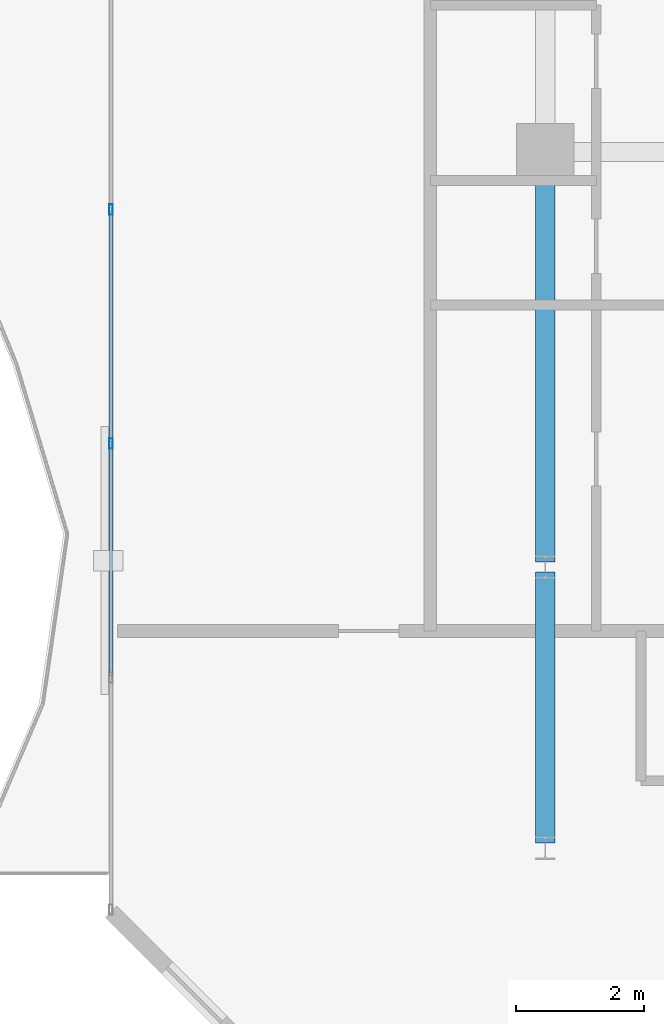
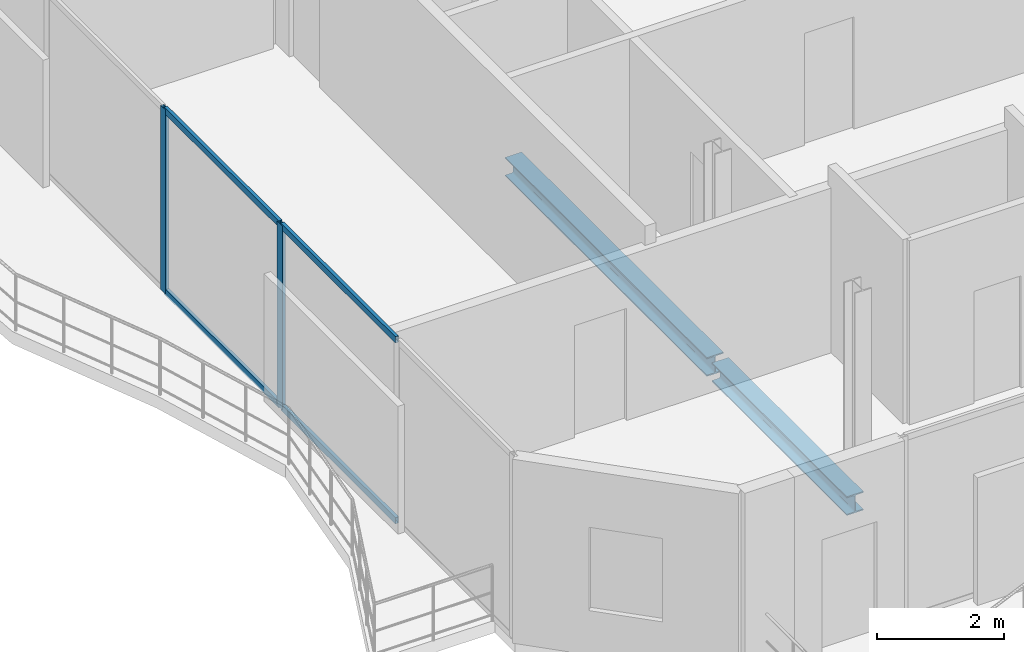
# One storey, part 3 of 16: 6 members, 2 beams, 1 element without a shape of its own.
"""IFC4 building model written with IfcOpenShell, lengths in metres."""

from ifc_helpers import new_model, si_unit, direction, frame, origin, origin_2d, place, context, subcontext, project, spatial, hollow_rectangle, i_section, extrude, material, layer, layer_set, material_profile, profile_set, type_object, element, aggregate, save


model = new_model("IFC4")

# Units and contexts
model_context = context("Model", 3, precision=1e-05, world=origin(), true_north=direction((0.0, 1.0)))
body_context = subcontext(model_context, "Body", "Model", "MODEL_VIEW")
ifc_project = project(units=[si_unit("LENGTHUNIT", "METRE"), si_unit("AREAUNIT", "SQUARE_METRE"), si_unit("VOLUMEUNIT", "CUBIC_METRE"), si_unit("PLANEANGLEUNIT", "RADIAN"), si_unit("MASSUNIT", "GRAM", prefix="KILO")], contexts=[model_context])

# Site, building, storey
site_placement = place(None, origin())
site = spatial("IfcSite", under=ifc_project, at=site_placement, CompositionType="ELEMENT")
building_placement = place(site_placement, origin())
building = spatial("IfcBuilding", under=site, at=building_placement, Name="Catumbela Crestline Tower", CompositionType="ELEMENT")
storey_placement = place(building_placement, frame((0.0, 0.0, 275.4)))
storey = spatial("IfcBuildingStorey", under=building, at=storey_placement, Name="L71", CompositionType="ELEMENT", Elevation=275.4)

# Beams
ifc_material_1 = material(Name="Structural steel S355J2", Category="steel")
ifc_material_profile_1 = material_profile(ifc_material_1, i_section(OverallWidth=0.3, OverallDepth=0.36, WebThickness=0.0125, FlangeThickness=0.0225, FilletRadius=0.027, at=origin_2d()), Name="HEB 360")
ifc_profile_set_1 = profile_set([ifc_material_profile_1], Name="Structural steel S355J2")
beam_type = type_object("IfcBeamType", Name="BG-HEB360", PredefinedType="BEAM", material=ifc_profile_set_1)
beam_1_placement = place(storey_placement, frame((16.0, 13.68, -0.44), z_axis=(0.0, 1.0, 0.0), x_axis=(-1.0, 0.0, 0.0)))
element("IfcBeam", 1, at=beam_1_placement, inside=storey, type_object=beam_type, Name="L71 Beam BM-L71-WNS18", PredefinedType="BEAM", context=body_context, shape_type="SweptSolid", body=[
    extrude(i_section(OverallWidth=0.3, OverallDepth=0.36, WebThickness=0.0125, FlangeThickness=0.0225, FilletRadius=0.027, at=origin_2d()), origin(), (0.0, 0.0, 1.0), 4.24),
])
beam_2_placement = place(storey_placement, frame((16.0, 18.08, -0.44), z_axis=(0.0, 1.0, 0.0), x_axis=(-1.0, 0.0, 0.0)))
element("IfcBeam", 2, at=beam_2_placement, inside=storey, type_object=beam_type, Name="L71 Beam BM-L71-WNS19", PredefinedType="BEAM", context=body_context, shape_type="SweptSolid", body=[
    extrude(i_section(OverallWidth=0.3, OverallDepth=0.36, WebThickness=0.0125, FlangeThickness=0.0225, FilletRadius=0.027, at=origin_2d()), origin(), (0.0, 0.0, 1.0), 6.34),
])

# Curtain wall, members
ifc_material_2 = material(Name="Aluminium alloy AW-6060-T66", Category="aluminium")
ifc_layer = layer(ifc_material_2, 0.18, Name="Aluminium alloy AW-6060-T66")
ifc_layer_set = layer_set([ifc_layer], Name="Aluminium alloy AW-6060-T66")
curtain_wall_type = type_object("IfcCurtainWallType", Name="CWU-Z4", PredefinedType="USERDEFINED", material=ifc_layer_set)
curtain_wall_placement = place(storey_placement, origin())
curtain_wall = element("IfcCurtainWall", 3, at=curtain_wall_placement, inside=storey, type_object=curtain_wall_type, Name="L71 Unitised Curtain Wall CW-L71-E9S2", ObjectType="UNITISED", PredefinedType="USERDEFINED")
ifc_material_profile_2 = material_profile(ifc_material_2, hollow_rectangle(XDim=0.06, YDim=0.16, WallThickness=0.004, at=origin_2d()), Name="ALU 160x60x4")
ifc_profile_set_2 = profile_set([ifc_material_profile_2], Name="Aluminium alloy AW-6060-T66")
member_type_1 = type_object("IfcMemberType", Name="MUL-160X60", PredefinedType="MULLION", material=ifc_profile_set_2)
member_1_placement = place(storey_placement, frame((9.2, 23.6, 0.0), z_axis=(0.0, 0.0, 1.0), x_axis=(1.0, 0.0, 0.0)))
member_1 = element("IfcMember", 4, at=member_1_placement, type_object=member_type_1, Name="CWU-Z4 mullion 4", PredefinedType="MULLION", context=body_context, shape_type="SweptSolid", body=[
    extrude(hollow_rectangle(XDim=0.06, YDim=0.16, WallThickness=0.004, at=origin_2d()), origin(), (0.0, 0.0, 1.0), 3.53),
])
member_2_placement = place(storey_placement, frame((9.2, 19.9333, 0.0), z_axis=(0.0, 0.0, 1.0), x_axis=(1.0, 0.0, 0.0)))
member_2 = element("IfcMember", 5, at=member_2_placement, type_object=member_type_1, Name="CWU-Z4 mullion 5", PredefinedType="MULLION", context=body_context, shape_type="SweptSolid", body=[
    extrude(hollow_rectangle(XDim=0.06, YDim=0.16, WallThickness=0.004, at=origin_2d()), origin(), (0.0, 0.0, 1.0), 3.53),
])
ifc_material_profile_3 = material_profile(ifc_material_2, hollow_rectangle(XDim=0.06, YDim=0.12, WallThickness=0.0035, at=origin_2d()), Name="ALU 120x60x3.5")
ifc_profile_set_3 = profile_set([ifc_material_profile_3], Name="Aluminium alloy AW-6060-T66")
member_type_2 = type_object("IfcMemberType", Name="TRN-120X60", PredefinedType="USERDEFINED", material=ifc_profile_set_3)
member_3_placement = place(storey_placement, frame((9.2, 23.5675, 0.03), z_axis=(0.0, -1.0, 0.0), x_axis=(1.0, 0.0, 0.0)))
member_3 = element("IfcMember", 6, at=member_3_placement, type_object=member_type_2, Name="CWU-Z4 transom 4.1", ObjectType="TRANSOM", PredefinedType="USERDEFINED", context=body_context, shape_type="SweptSolid", body=[
    extrude(hollow_rectangle(XDim=0.06, YDim=0.12, WallThickness=0.0035, at=origin_2d()), origin(), (0.0, 0.0, 1.0), 3.6017),
])
member_4_placement = place(storey_placement, frame((9.2, 23.5675, 3.5), z_axis=(0.0, -1.0, 0.0), x_axis=(1.0, 0.0, 0.0)))
member_4 = element("IfcMember", 7, at=member_4_placement, type_object=member_type_2, Name="CWU-Z4 transom 4.2", ObjectType="TRANSOM", PredefinedType="USERDEFINED", context=body_context, shape_type="SweptSolid", body=[
    extrude(hollow_rectangle(XDim=0.06, YDim=0.12, WallThickness=0.0035, at=origin_2d()), origin(), (0.0, 0.0, 1.0), 3.6017),
])
member_5_placement = place(storey_placement, frame((9.2, 19.9008, 0.03), z_axis=(0.0, -1.0, 0.0), x_axis=(1.0, 0.0, 0.0)))
member_5 = element("IfcMember", 8, at=member_5_placement, type_object=member_type_2, Name="CWU-Z4 transom 5.1", ObjectType="TRANSOM", PredefinedType="USERDEFINED", context=body_context, shape_type="SweptSolid", body=[
    extrude(hollow_rectangle(XDim=0.06, YDim=0.12, WallThickness=0.0035, at=origin_2d()), origin(), (0.0, 0.0, 1.0), 3.6016),
])
member_6_placement = place(storey_placement, frame((9.2, 19.9008, 3.5), z_axis=(0.0, -1.0, 0.0), x_axis=(1.0, 0.0, 0.0)))
member_6 = element("IfcMember", 9, at=member_6_placement, type_object=member_type_2, Name="CWU-Z4 transom 5.2", ObjectType="TRANSOM", PredefinedType="USERDEFINED", context=body_context, shape_type="SweptSolid", body=[
    extrude(hollow_rectangle(XDim=0.06, YDim=0.12, WallThickness=0.0035, at=origin_2d()), origin(), (0.0, 0.0, 1.0), 3.6016),
])
aggregate(curtain_wall, [member_1, member_2, member_3, member_4, member_5, member_6])

save(model, "model.ifc")
